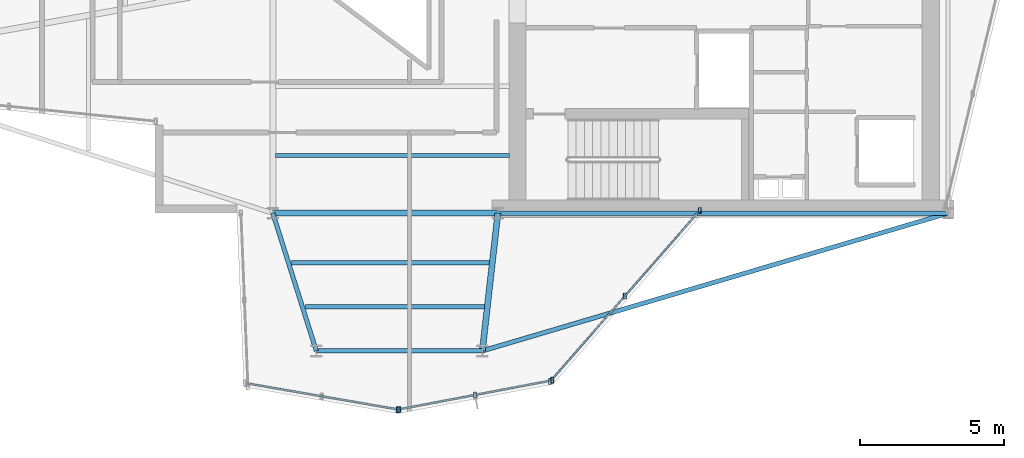
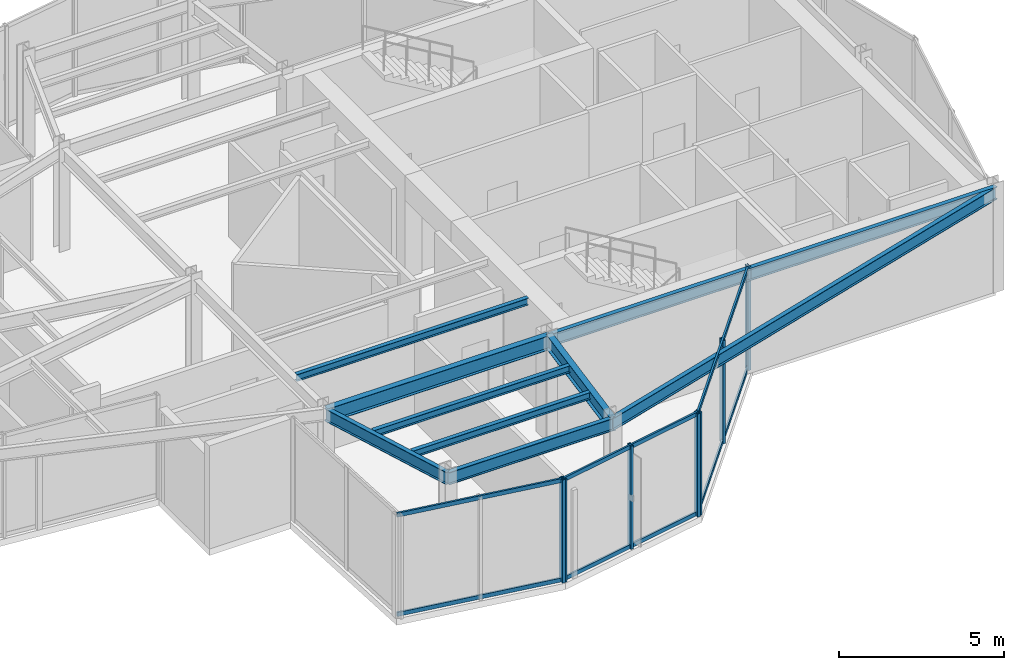
# One storey, part 3 of 15: 13 members, 9 beams, 3 elements without a shape of their own.
"""IFC4 building model written with IfcOpenShell, lengths in metres."""

from ifc_helpers import new_model, si_unit, direction, frame, origin, origin_2d, place, context, subcontext, project, spatial, hollow_rectangle, i_section, extrude, material, layer, layer_set, material_profile, profile_set, type_object, element, aggregate, save


model = new_model("IFC4")

# Units and contexts
model_context = context("Model", 3, precision=1e-05, world=origin(), true_north=direction((0.0, 1.0)))
body_context = subcontext(model_context, "Body", "Model", "MODEL_VIEW")
ifc_project = project(units=[si_unit("LENGTHUNIT", "METRE"), si_unit("AREAUNIT", "SQUARE_METRE"), si_unit("VOLUMEUNIT", "CUBIC_METRE"), si_unit("PLANEANGLEUNIT", "RADIAN"), si_unit("MASSUNIT", "GRAM", prefix="KILO")], contexts=[model_context])

# Site, building, storey
site_placement = place(None, origin())
site = spatial("IfcSite", under=ifc_project, at=site_placement, CompositionType="ELEMENT")
building_placement = place(site_placement, origin())
building = spatial("IfcBuilding", under=site, at=building_placement, Name="Veymaron Broadcast Tower", CompositionType="ELEMENT")
storey_placement = place(building_placement, frame((0.0, 0.0, 266.85009765625)))
storey = spatial("IfcBuildingStorey", under=building, at=storey_placement, Name="L62", CompositionType="ELEMENT", Elevation=266.85009765625)

# Beams
ifc_material_1 = material(Name="Structural steel ASTM A992 Gr 50", Category="steel")
ifc_material_profile_1 = material_profile(ifc_material_1, i_section(OverallWidth=0.208984375, OverallDepth=0.528076171875, WebThickness=0.009521484375, FlangeThickness=0.01318359375, at=origin_2d()), Name="W530X82")
ifc_profile_set_1 = profile_set([ifc_material_profile_1], Name="Structural steel ASTM A992 Gr 50")
beam_type_1 = type_object("IfcBeamType", Name="BM-FG4", PredefinedType="BEAM", material=ifc_profile_set_1)
beam_1_placement = place(storey_placement, frame((31.199951171875, 16.0, 3.5458984375), z_axis=(1.0, 0.0, 0.0), x_axis=(0.0, 1.0, 0.0)))
element("IfcBeam", 1, at=beam_1_placement, inside=storey, type_object=beam_type_1, Name="L62 primary structural floor girder", PredefinedType="BEAM", context=body_context, shape_type="SweptSolid", body=[
    extrude(i_section(OverallWidth=0.208984375, OverallDepth=0.528076171875, WebThickness=0.009521484375, FlangeThickness=0.01318359375, at=origin_2d()), origin(), (0.0, 0.0, 1.0), 7.800048828125),
])
beam_2_placement = place(storey_placement, frame((39.0, 16.0, 3.5458984375), z_axis=(-0.112049553621, -0.993702620271, 0.0), x_axis=(0.993702620271, -0.112049553621, 0.0)))
element("IfcBeam", 2, at=beam_2_placement, inside=storey, type_object=beam_type_1, Name="L62 primary structural floor girder", PredefinedType="BEAM", context=body_context, shape_type="SweptSolid", body=[
    extrude(i_section(OverallWidth=0.208984375, OverallDepth=0.528076171875, WebThickness=0.009521484375, FlangeThickness=0.01318359375, at=origin_2d()), origin(), (0.0, 0.0, 1.0), 4.80224609375),
])
ifc_material_profile_2 = material_profile(ifc_material_1, i_section(OverallWidth=0.14599609375, OverallDepth=0.258056640625, WebThickness=0.006103515625, FlangeThickness=0.009033203125, at=origin_2d()), Name="W250X33")
ifc_profile_set_2 = profile_set([ifc_material_profile_2], Name="Structural steel ASTM A992 Gr 50")
beam_type_2 = type_object("IfcBeamType", Name="BM-JS4", PredefinedType="JOIST", material=ifc_profile_set_2)
beam_3_placement = place(storey_placement, frame((31.84228515625, 14.281982421875, 3.680908203125), z_axis=(1.0, 0.0, 0.0), x_axis=(0.0, 1.0, 0.0)))
element("IfcBeam", 3, at=beam_3_placement, inside=storey, type_object=beam_type_2, Name="L62 Arm-C secondary joist 1", PredefinedType="JOIST", context=body_context, shape_type="SweptSolid", body=[
    extrude(i_section(OverallWidth=0.14599609375, OverallDepth=0.258056640625, WebThickness=0.006103515625, FlangeThickness=0.009033203125, at=origin_2d()), origin(), (0.0, 0.0, 1.0), 6.864013671875),
])
beam_4_placement = place(storey_placement, frame((32.324462890625, 12.7548828125, 3.680908203125), z_axis=(1.0, 0.0, 0.0), x_axis=(0.0, 1.0, 0.0)))
element("IfcBeam", 4, at=beam_4_placement, inside=storey, type_object=beam_type_2, Name="L62 Arm-C secondary joist 2", PredefinedType="JOIST", context=body_context, shape_type="SweptSolid", body=[
    extrude(i_section(OverallWidth=0.14599609375, OverallDepth=0.258056640625, WebThickness=0.006103515625, FlangeThickness=0.009033203125, at=origin_2d()), origin(), (0.0, 0.0, 1.0), 6.209716796875),
])
beam_5_placement = place(storey_placement, frame((31.300048828125, 18.0, 3.680908203125), z_axis=(1.0, 0.0, 0.0), x_axis=(0.0, 1.0, 0.0)))
element("IfcBeam", 5, at=beam_5_placement, inside=storey, type_object=beam_type_2, Name="L62 Hub secondary joist 1", PredefinedType="JOIST", context=body_context, shape_type="SweptSolid", body=[
    extrude(i_section(OverallWidth=0.14599609375, OverallDepth=0.258056640625, WebThickness=0.006103515625, FlangeThickness=0.009033203125, at=origin_2d()), origin(), (0.0, 0.0, 1.0), 8.099853515625),
])
ifc_material_profile_3 = material_profile(ifc_material_1, i_section(OverallWidth=0.154052734375, OverallDepth=0.458984375, WebThickness=0.009033203125, FlangeThickness=0.015380859375, at=origin_2d()), Name="W460X68")
ifc_profile_set_3 = profile_set([ifc_material_profile_3], Name="Structural steel ASTM A992 Gr 50")
beam_type_3 = type_object("IfcBeamType", Name="BM-SP2", PredefinedType="SPANDREL", material=ifc_profile_set_3)
beam_6_placement = place(storey_placement, frame((39.0, 16.0, 3.580322265625), z_axis=(1.0, 0.0, 0.0), x_axis=(0.0, 1.0, 0.0)))
element("IfcBeam", 6, at=beam_6_placement, inside=storey, type_object=beam_type_3, Name="L62 primary structural floor girder", PredefinedType="SPANDREL", context=body_context, shape_type="SweptSolid", body=[
    extrude(i_section(OverallWidth=0.154052734375, OverallDepth=0.458984375, WebThickness=0.009033203125, FlangeThickness=0.015380859375, at=origin_2d()), origin(), (0.0, 0.0, 1.0), 15.60009765625),
])
beam_7_placement = place(storey_placement, frame((31.199951171875, 16.0, 3.580322265625), z_axis=(0.301023957979, -0.953616577416, 0.0), x_axis=(0.953616577416, 0.301023957979, 0.0)))
element("IfcBeam", 7, at=beam_7_placement, inside=storey, type_object=beam_type_3, Name="L62 primary structural floor girder", PredefinedType="SPANDREL", context=body_context, shape_type="SweptSolid", body=[
    extrude(i_section(OverallWidth=0.154052734375, OverallDepth=0.458984375, WebThickness=0.009033203125, FlangeThickness=0.015380859375, at=origin_2d()), origin(), (0.0, 0.0, 1.0), 5.004150390625),
])
beam_8_placement = place(storey_placement, frame((54.60009765625, 16.0, 3.580322265625), z_axis=(-0.958955148663, -0.283557794556, 0.0), x_axis=(0.283557794556, -0.958955148663, 0.0)))
element("IfcBeam", 8, at=beam_8_placement, inside=storey, type_object=beam_type_3, Name="L62 primary structural floor girder", PredefinedType="SPANDREL", context=body_context, shape_type="SweptSolid", body=[
    extrude(i_section(OverallWidth=0.154052734375, OverallDepth=0.458984375, WebThickness=0.009033203125, FlangeThickness=0.015380859375, at=origin_2d()), origin(), (0.0, 0.0, 1.0), 16.828857421875),
])
beam_9_placement = place(storey_placement, frame((32.706298828125, 11.22802734375, 3.580322265625), z_axis=(1.0, 0.0, 0.0), x_axis=(0.0, 1.0, 0.0)))
element("IfcBeam", 9, at=beam_9_placement, inside=storey, type_object=beam_type_3, Name="L62 primary structural floor girder", PredefinedType="SPANDREL", context=body_context, shape_type="SweptSolid", body=[
    extrude(i_section(OverallWidth=0.154052734375, OverallDepth=0.458984375, WebThickness=0.009033203125, FlangeThickness=0.015380859375, at=origin_2d()), origin(), (0.0, 0.0, 1.0), 5.755615234375),
])

# Curtain wall, member
ifc_material_2 = material(Name="Anodised aluminium AA 6063-T6 and laminated low-E dark glass", Category="aluminium")
ifc_layer = layer(ifc_material_2, 0.179931640625)
ifc_layer_set = layer_set([ifc_layer], Name="Anodised aluminium AA 6063-T6 and laminated low-E dark glass")
curtain_wall_type = type_object("IfcCurtainWallType", Name="CW-SYS-06", PredefinedType="NOTDEFINED", material=ifc_layer_set)
curtain_wall_1_placement = place(storey_placement, origin())
curtain_wall_1 = element("IfcCurtainWall", 10, at=curtain_wall_1_placement, inside=storey, type_object=curtain_wall_type, Name="L62 dark-glass curtain wall CW-L62-E18-1", PredefinedType="NOTDEFINED")
ifc_material_3 = material(Name="Anodised aluminium AA 6063-T6", Category="aluminium")
ifc_material_profile_4 = material_profile(ifc_material_3, hollow_rectangle(XDim=0.10009765625, YDim=0.199951171875, WallThickness=0.010009765625, at=origin_2d()), Name="RHS200X100X10")
ifc_profile_set_4 = profile_set([ifc_material_profile_4], Name="Anodised aluminium AA 6063-T6")
member_type_1 = type_object("IfcMemberType", Name="CW-MUL-01", PredefinedType="MULLION", material=ifc_profile_set_4)
member_1_placement = place(storey_placement, frame((35.576904296875, 9.19287109375, 0.0), z_axis=(0.0, 0.0, 1.0), x_axis=(1.0, 0.0, 0.0)))
member_1 = element("IfcMember", 11, at=member_1_placement, type_object=member_type_1, Name="CW-L62-E18-1 mullion 2", PredefinedType="MULLION", context=body_context, shape_type="SweptSolid", body=[
    extrude(hollow_rectangle(XDim=0.10009765625, YDim=0.199951171875, WallThickness=0.010009765625, at=origin_2d()), origin(), (0.0, 0.0, 1.0), 3.809814453125),
])

# Curtain wall, members
curtain_wall_2_placement = place(storey_placement, origin())
curtain_wall_2 = element("IfcCurtainWall", 12, at=curtain_wall_2_placement, inside=storey, type_object=curtain_wall_type, Name="L62 dark-glass curtain wall CW-L62-E19-1", PredefinedType="NOTDEFINED")
member_2_placement = place(storey_placement, frame((35.527099609375, 9.1923828125, 0.0), z_axis=(0.0, 0.0, 1.0), x_axis=(1.0, 0.0, 0.0)))
member_2 = element("IfcMember", 13, at=member_2_placement, type_object=member_type_1, Name="CW-L62-E19-1 mullion 0", PredefinedType="MULLION", context=body_context, shape_type="SweptSolid", body=[
    extrude(hollow_rectangle(XDim=0.10009765625, YDim=0.199951171875, WallThickness=0.010009765625, at=origin_2d()), origin(), (0.0, 0.0, 1.0), 3.809814453125),
])
member_3_placement = place(storey_placement, frame((38.206298828125, 9.700439453125, 0.0), z_axis=(0.0, 0.0, 1.0), x_axis=(1.0, 0.0, 0.0)))
member_3 = element("IfcMember", 14, at=member_3_placement, type_object=member_type_1, Name="CW-L62-E19-1 mullion 1", PredefinedType="MULLION", context=body_context, shape_type="SweptSolid", body=[
    extrude(hollow_rectangle(XDim=0.10009765625, YDim=0.199951171875, WallThickness=0.010009765625, at=origin_2d()), origin(), (0.0, 0.0, 1.0), 3.809814453125),
])
member_4_placement = place(storey_placement, frame((40.88525390625, 10.208740234375, 0.0), z_axis=(0.0, 0.0, 1.0), x_axis=(1.0, 0.0, 0.0)))
member_4 = element("IfcMember", 15, at=member_4_placement, type_object=member_type_1, Name="CW-L62-E19-1 mullion 2", PredefinedType="MULLION", context=body_context, shape_type="SweptSolid", body=[
    extrude(hollow_rectangle(XDim=0.10009765625, YDim=0.199951171875, WallThickness=0.010009765625, at=origin_2d()), origin(), (0.0, 0.0, 1.0), 3.809814453125),
])

curtain_wall_3_placement = place(storey_placement, origin())
curtain_wall_3 = element("IfcCurtainWall", 16, at=curtain_wall_3_placement, inside=storey, type_object=curtain_wall_type, Name="L62 dark-glass curtain wall CW-L62-E20-1", PredefinedType="NOTDEFINED")
member_5_placement = place(storey_placement, frame((40.805908203125, 10.163330078125, 0.0), z_axis=(0.0, 0.0, 1.0), x_axis=(1.0, 0.0, 0.0)))
member_5 = element("IfcMember", 17, at=member_5_placement, type_object=member_type_1, Name="CW-L62-E20-1 mullion 0", PredefinedType="MULLION", context=body_context, shape_type="SweptSolid", body=[
    extrude(hollow_rectangle(XDim=0.10009765625, YDim=0.199951171875, WallThickness=0.010009765625, at=origin_2d()), origin(), (0.0, 0.0, 1.0), 3.809814453125),
])
member_6_placement = place(storey_placement, frame((43.400146484375, 13.127685546875, 0.0), z_axis=(0.0, 0.0, 1.0), x_axis=(1.0, 0.0, 0.0)))
member_6 = element("IfcMember", 18, at=member_6_placement, type_object=member_type_1, Name="CW-L62-E20-1 mullion 1", PredefinedType="MULLION", context=body_context, shape_type="SweptSolid", body=[
    extrude(hollow_rectangle(XDim=0.10009765625, YDim=0.199951171875, WallThickness=0.010009765625, at=origin_2d()), origin(), (0.0, 0.0, 1.0), 3.809814453125),
])
member_7_placement = place(storey_placement, frame((45.994384765625, 16.09228515625, 0.0), z_axis=(0.0, 0.0, 1.0), x_axis=(1.0, 0.0, 0.0)))
member_7 = element("IfcMember", 19, at=member_7_placement, type_object=member_type_1, Name="CW-L62-E20-1 mullion 2", PredefinedType="MULLION", context=body_context, shape_type="SweptSolid", body=[
    extrude(hollow_rectangle(XDim=0.10009765625, YDim=0.199951171875, WallThickness=0.010009765625, at=origin_2d()), origin(), (0.0, 0.0, 1.0), 3.809814453125),
])

# Member
ifc_material_profile_5 = material_profile(ifc_material_3, hollow_rectangle(XDim=0.06494140625, YDim=0.14990234375, WallThickness=0.00390625, at=origin_2d()), Name="AL150X65X4")
ifc_profile_set_5 = profile_set([ifc_material_profile_5], Name="Anodised aluminium AA 6063-T6")
member_type_2 = type_object("IfcMemberType", Name="CW-TRN-01", PredefinedType="USERDEFINED", material=ifc_profile_set_5)
member_8_placement = place(storey_placement, frame((30.26806640625, 10.1083984375, 0.06982421875), z_axis=(0.985454833095, -0.169937553031, 0.0), x_axis=(0.169937553031, 0.985454833095, 0.0)))
member_8 = element("IfcMember", 20, at=member_8_placement, type_object=member_type_2, Name="CW-L62-E18-1 transom B", ObjectType="TRANSOM", PredefinedType="USERDEFINED", context=body_context, shape_type="SweptSolid", body=[
    extrude(hollow_rectangle(XDim=0.06494140625, YDim=0.14990234375, WallThickness=0.00390625, at=origin_2d()), origin(), (0.0, 0.0, 1.0), 5.337158203125),
])

member_9_placement = place(storey_placement, frame((30.26806640625, 10.1083984375, 3.739990234375), z_axis=(0.985454833095, -0.169937553031, 0.0), x_axis=(0.169937553031, 0.985454833095, 0.0)))
member_9 = element("IfcMember", 21, at=member_9_placement, type_object=member_type_2, Name="CW-L62-E18-1 transom T", ObjectType="TRANSOM", PredefinedType="USERDEFINED", context=body_context, shape_type="SweptSolid", body=[
    extrude(hollow_rectangle(XDim=0.06494140625, YDim=0.14990234375, WallThickness=0.00390625, at=origin_2d()), origin(), (0.0, 0.0, 1.0), 5.337158203125),
])

aggregate(curtain_wall_1, [member_1, member_8, member_9])

member_10_placement = place(storey_placement, frame((35.576171875, 9.20166015625, 0.06982421875), z_axis=(0.982479182854, 0.186372356478, 0.0), x_axis=(-0.186372356478, 0.982479182854, 0.0)))
member_10 = element("IfcMember", 22, at=member_10_placement, type_object=member_type_2, Name="CW-L62-E19-1 transom B", ObjectType="TRANSOM", PredefinedType="USERDEFINED", context=body_context, shape_type="SweptSolid", body=[
    extrude(hollow_rectangle(XDim=0.06494140625, YDim=0.14990234375, WallThickness=0.00390625, at=origin_2d()), origin(), (0.0, 0.0, 1.0), 5.353759765625),
])

member_11_placement = place(storey_placement, frame((35.576171875, 9.20166015625, 3.739990234375), z_axis=(0.982479182854, 0.186372356478, 0.0), x_axis=(-0.186372356478, 0.982479182854, 0.0)))
member_11 = element("IfcMember", 23, at=member_11_placement, type_object=member_type_2, Name="CW-L62-E19-1 transom T", ObjectType="TRANSOM", PredefinedType="USERDEFINED", context=body_context, shape_type="SweptSolid", body=[
    extrude(hollow_rectangle(XDim=0.06494140625, YDim=0.14990234375, WallThickness=0.00390625, at=origin_2d()), origin(), (0.0, 0.0, 1.0), 5.353759765625),
])

aggregate(curtain_wall_2, [member_2, member_3, member_4, member_10, member_11])

member_12_placement = place(storey_placement, frame((40.8388671875, 10.200927734375, 0.06982421875), z_axis=(0.658560155481, 0.752528086926, 0.0), x_axis=(-0.752528086926, 0.658560155481, 0.0)))
member_12 = element("IfcMember", 24, at=member_12_placement, type_object=member_type_2, Name="CW-L62-E20-1 transom B", ObjectType="TRANSOM", PredefinedType="USERDEFINED", context=body_context, shape_type="SweptSolid", body=[
    extrude(hollow_rectangle(XDim=0.06494140625, YDim=0.14990234375, WallThickness=0.00390625, at=origin_2d()), origin(), (0.0, 0.0, 1.0), 7.77880859375),
])

member_13_placement = place(storey_placement, frame((40.8388671875, 10.200927734375, 3.739990234375), z_axis=(0.658560155481, 0.752528086926, 0.0), x_axis=(-0.752528086926, 0.658560155481, 0.0)))
member_13 = element("IfcMember", 25, at=member_13_placement, type_object=member_type_2, Name="CW-L62-E20-1 transom T", ObjectType="TRANSOM", PredefinedType="USERDEFINED", context=body_context, shape_type="SweptSolid", body=[
    extrude(hollow_rectangle(XDim=0.06494140625, YDim=0.14990234375, WallThickness=0.00390625, at=origin_2d()), origin(), (0.0, 0.0, 1.0), 7.77880859375),
])

aggregate(curtain_wall_3, [member_5, member_6, member_7, member_12, member_13])

save(model, "model.ifc")
